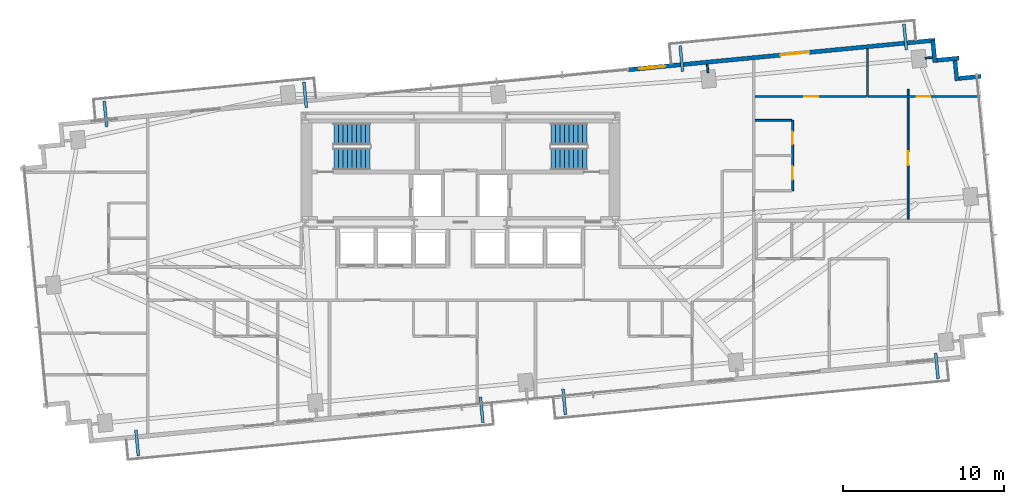
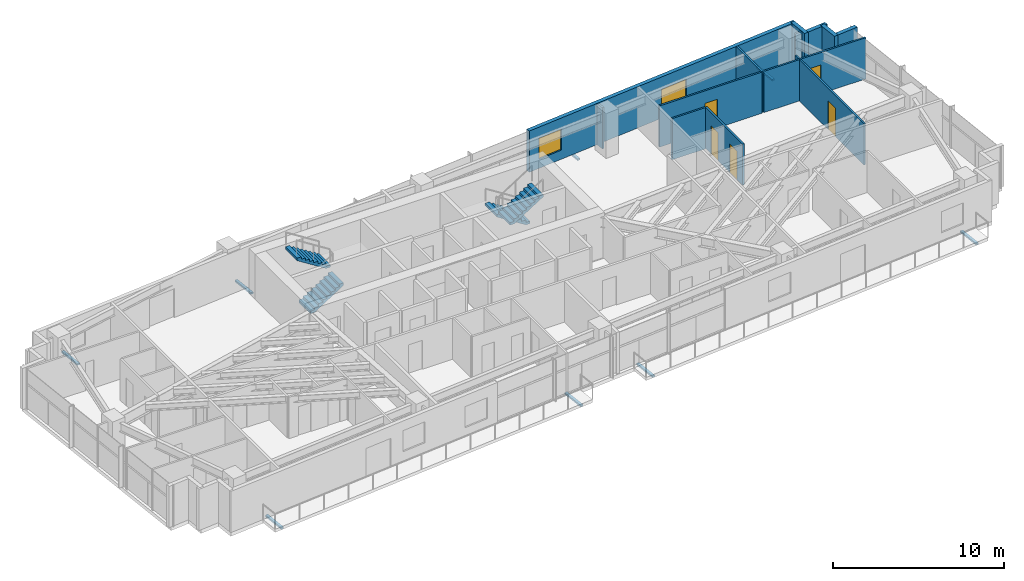
# One storey, part 24 of 27: 14 walls, 8 discrete accessories, 6 doors, 4 stair flights, 1 window, 7 openings, 2 elements without a shape of their own.
"""IFC4 building model written with IfcOpenShell, lengths in metres."""

from ifc_helpers import new_model, si_unit, direction, frame, frame_2d, origin, origin_2d, place, context, subcontext, project, spatial, polyline, rectangle, outline, extrude, source, transform, mapped, material, layer, layer_set, type_object, type_shapes, element, fill, aggregate, save


model = new_model("IFC4")

# Units and contexts
model_context = context("Model", 3, precision=1e-05, world=origin(), true_north=direction((0.0, 1.0)))
body_context = subcontext(model_context, "Body", "Model", "MODEL_VIEW")
ifc_project = project(units=[si_unit("LENGTHUNIT", "METRE"), si_unit("AREAUNIT", "SQUARE_METRE"), si_unit("VOLUMEUNIT", "CUBIC_METRE"), si_unit("PLANEANGLEUNIT", "RADIAN"), si_unit("MASSUNIT", "GRAM", prefix="KILO")], contexts=[model_context])

# Site, building, storey
site_placement = place(None, origin())
site = spatial("IfcSite", under=ifc_project, at=site_placement, CompositionType="ELEMENT")
building_placement = place(site_placement, origin())
building = spatial("IfcBuilding", under=site, at=building_placement, Name="Astriad Promenade Condominiums", CompositionType="ELEMENT")
storey_placement = place(building_placement, frame((0.0, 0.0, 93.800048828125)))
storey = spatial("IfcBuildingStorey", under=building, at=storey_placement, Name="L26", CompositionType="ELEMENT", Elevation=93.800048828125)

# Wall, openings, door, window
ifc_material_1 = material(Name="Precast concrete C50/60", Category="concrete")
ifc_layer_1 = layer(ifc_material_1, 0.260009765625)
ifc_layer_set_1 = layer_set([ifc_layer_1], Name="Precast concrete C50/60")
wall_type_1 = type_object("IfcWallType", Name="WALL-EXT-TWR-260", PredefinedType="STANDARD", material=ifc_layer_set_1)
wall_1_placement = place(storey_placement, frame((46.40625, 26.90966796875, 0.0), z_axis=(0.0, 0.0, 1.0), x_axis=(0.995396638587, 0.095841180552, 0.0)))
wall_1 = element("IfcWall", 1, at=wall_1_placement, inside=storey, type_object=wall_type_1, Name="W-EXT-L26-N2", PredefinedType="STANDARD", context=body_context, shape_type="SweptSolid", body=[
    extrude(rectangle(XDim=19.110107421875, YDim=0.260009765625, at=frame_2d((9.55517578125, 0.0))), origin(), (0.0, 0.0, 1.0), 2.93994140625),
])
opening_1_placement = place(wall_1_placement, frame((9.47998046875, 0.0, 0.0)))
opening_1 = element("IfcOpeningElement", 2, at=opening_1_placement, cuts=wall_1, Name="Opening BD-1822-SLD", PredefinedType="OPENING", context=body_context, shape_type="SweptSolid", body=[
    extrude(rectangle(XDim=1.800048828125, YDim=2.06005859375, at=frame_2d((0.89990234375, 1.030029296875))), frame((0.0, 0.139892578125, 0.0), z_axis=(0.0, -1.0, 0.0), x_axis=(1.0, 0.0, 0.0)), (0.0, 0.0, 1.0), 0.280029296875),
])
opening_2_placement = place(wall_1_placement, frame((0.699951171875, 0.0, 0.64990234375)))
opening_2 = element("IfcOpeningElement", 3, at=opening_2_placement, cuts=wall_1, Name="Opening WIN-TWR-1620", PredefinedType="OPENING", context=body_context, shape_type="SweptSolid", body=[
    extrude(rectangle(XDim=1.60009765625, YDim=1.5, at=frame_2d((0.800048828125, 0.75))), frame((0.0, 0.139892578125, 0.0), z_axis=(0.0, -1.0, 0.0), x_axis=(1.0, 0.0, 0.0)), (0.0, 0.0, 1.0), 0.280029296875),
])
ifc_material_2 = material(Name="Thermally Broken Aluminium Sliding Balcony Door", Category="aluminium")
door_type_1 = type_object("IfcDoorType", Name="BD-1822-SLD", OperationType="NOTDEFINED", PredefinedType="DOOR", material=ifc_material_2)
shared_shape_1 = source(origin(), body_context, "Body", "SweptSolid", [
    extrude(rectangle(XDim=1.800048828125, YDim=2.06005859375, at=frame_2d((0.89990234375, 1.030029296875))), frame((0.0, 0.02490234375, 0.0), z_axis=(0.0, -1.0, 0.0), x_axis=(1.0, 0.0, 0.0)), (0.0, 0.0, 1.0), 0.050048828125),
])
type_shapes(door_type_1, [shared_shape_1])
door_1_placement = place(opening_1_placement, origin())
door_1 = element("IfcDoor", 4, at=door_1_placement, inside=storey, type_object=door_type_1, Name="BD-L26-NE", OperationType="SLIDING_TO_RIGHT", OverallHeight=2.06005859375, OverallWidth=1.800048828125, PredefinedType="DOOR", context=body_context, shape_type="MappedRepresentation", body=[
    mapped(shared_shape_1, transform((0.0, 0.0, 0.0), scale=1.0)),
])
fill(opening_1, door_1)
ifc_material_3 = material(Name="Dark Tinted Triple-Glazed Aluminium Window", Category="aluminium")
window_type = type_object("IfcWindowType", Name="WIN-TWR-1620", PartitioningType="SINGLE_PANEL", PredefinedType="WINDOW", material=ifc_material_3)
shared_shape_2 = source(origin(), body_context, "Body", "SweptSolid", [
    extrude(rectangle(XDim=1.60009765625, YDim=1.5, at=frame_2d((0.800048828125, 0.75))), frame((0.0, 0.030029296875, 0.0), z_axis=(0.0, -1.0, 0.0), x_axis=(1.0, 0.0, 0.0)), (0.0, 0.0, 1.0), 0.06005859375),
])
type_shapes(window_type, [shared_shape_2])
window_placement = place(opening_2_placement, origin())
window = element("IfcWindow", 5, at=window_placement, inside=storey, type_object=window_type, Name="WIN-L26-NE", OverallHeight=1.5, OverallWidth=1.60009765625, PartitioningType="SINGLE_PANEL", PredefinedType="WINDOW", context=body_context, shape_type="MappedRepresentation", body=[
    mapped(shared_shape_2, transform((0.0, 0.0, 0.0), scale=1.0)),
])
fill(opening_2, window)

# Walls
for number, where, z_axis, x_axis, name in (
    (6, (65.297607421875, 28.74365234375, 0.0), (0.0, 0.0, 1.0), (0.095725744959, -0.99540774648, 0.0), "W-SER-L26-09"),
    (7, (65.533203125, 27.49560546875, 0.0), (0.0, 0.0, 1.0), (0.99540774648, 0.095725744959, 0.0), "W-SER-L26-10"),
):
    element("IfcWall", number, at=place(storey_placement, frame(where, z_axis=z_axis, x_axis=x_axis)), inside=storey, type_object=wall_type_1, Name=name, PredefinedType="STANDARD", context=body_context, shape_type="SweptSolid", body=[
        extrude(rectangle(XDim=1.39501953125, YDim=0.260009765625, at=frame_2d((0.697509765625, 0.0))), origin(), (0.0, 0.0, 1.0), 2.93994140625),
    ])
wall_2_placement = place(storey_placement, frame((66.66162109375, 27.619140625, 0.0), z_axis=(0.0, 0.0, 1.0), x_axis=(0.095742423056, -0.99540614245, 0.0)))
element("IfcWall", 8, at=wall_2_placement, inside=storey, type_object=wall_type_1, Name="W-SER-L26-11", PredefinedType="STANDARD", context=body_context, shape_type="SweptSolid", body=[
    extrude(rectangle(XDim=1.394775390625, YDim=0.260009765625, at=frame_2d((0.697265625, 0.0))), origin(), (0.0, 0.0, 1.0), 2.93994140625),
])
wall_3_placement = place(storey_placement, frame((66.897216796875, 26.37109375, 0.0), z_axis=(0.0, 0.0, 1.0), x_axis=(0.995391056452, 0.09589913835, 0.0)))
element("IfcWall", 9, at=wall_3_placement, inside=storey, type_object=wall_type_1, Name="W-SER-L26-12", PredefinedType="STANDARD", context=body_context, shape_type="SweptSolid", body=[
    extrude(rectangle(XDim=1.39501953125, YDim=0.260009765625, at=frame_2d((0.697509765625, 0.0))), origin(), (0.0, 0.0, 1.0), 2.93994140625),
])

# Wall, openings, doors
ifc_material_4 = material(Name="Acoustic Metal-Stud Gypsum Partition")
ifc_layer_2 = layer(ifc_material_4, 0.1201171875)
ifc_layer_set_2 = layer_set([ifc_layer_2], Name="Acoustic Metal-Stud Gypsum Partition")
wall_type_2 = type_object("IfcWallType", Name="WALL-PART-120", PredefinedType="PARTITIONING", material=ifc_layer_set_2)
wall_4_placement = place(storey_placement, frame((56.60009765625, 19.419921875, 0.0), z_axis=(0.0, 0.0, 1.0), x_axis=(0.0, 1.0, 0.0)))
wall_4 = element("IfcWall", 10, at=wall_4_placement, inside=storey, type_object=wall_type_2, Name="PT-L26-E2-PV", PredefinedType="PARTITIONING", context=body_context, shape_type="SweptSolid", body=[
    extrude(rectangle(XDim=4.35009765625, YDim=0.1201171875, at=frame_2d((2.175048828125, 0.0))), origin(), (0.0, 0.0, 1.0), 2.93994140625),
])
opening_3_placement = place(wall_4_placement, frame((0.6630859375, 0.0, 0.0)))
opening_3 = element("IfcOpeningElement", 11, at=opening_3_placement, cuts=wall_4, Name="Opening D-INT-085", PredefinedType="OPENING", context=body_context, shape_type="SweptSolid", body=[
    extrude(rectangle(XDim=0.85009765625, YDim=2.050048828125, at=frame_2d((0.425048828125, 1.02490234375))), frame((0.0, 0.070068359375, 0.0), z_axis=(0.0, -1.0, 0.0), x_axis=(1.0, 0.0, 0.0)), (0.0, 0.0, 1.0), 0.14013671875),
])
opening_4_placement = place(wall_4_placement, frame((2.862060546875, 0.0, 0.0)))
opening_4 = element("IfcOpeningElement", 12, at=opening_4_placement, cuts=wall_4, Name="Opening D-WET-080", PredefinedType="OPENING", context=body_context, shape_type="SweptSolid", body=[
    extrude(rectangle(XDim=0.800048828125, YDim=2.02001953125, at=frame_2d((0.39990234375, 1.010009765625))), frame((0.0, 0.070068359375, 0.0), z_axis=(0.0, -1.0, 0.0), x_axis=(1.0, 0.0, 0.0)), (0.0, 0.0, 1.0), 0.14013671875),
])
ifc_material_5 = material(Name="Moisture-Resistant Timber Bathroom Door", Category="wood")
door_type_2 = type_object("IfcDoorType", Name="D-WET-080", OperationType="NOTDEFINED", PredefinedType="DOOR", material=ifc_material_5)
shared_shape_3 = source(origin(), body_context, "Body", "SweptSolid", [
    extrude(rectangle(XDim=0.800048828125, YDim=2.02001953125, at=frame_2d((0.39990234375, 1.010009765625))), frame((0.0, 0.02490234375, 0.0), z_axis=(0.0, -1.0, 0.0), x_axis=(1.0, 0.0, 0.0)), (0.0, 0.0, 1.0), 0.050048828125),
])
type_shapes(door_type_2, [shared_shape_3])
door_2_placement = place(opening_4_placement, origin())
door_2 = element("IfcDoor", 13, at=door_2_placement, inside=storey, type_object=door_type_2, Name="D-BTH-L26-E2", OperationType="SINGLE_SWING_RIGHT", OverallHeight=2.02001953125, OverallWidth=0.800048828125, PredefinedType="DOOR", context=body_context, shape_type="MappedRepresentation", body=[
    mapped(shared_shape_3, transform((0.0, 0.0, 0.0), scale=1.0)),
])
fill(opening_4, door_2)
ifc_material_6 = material(Name="Painted Solid-Core Timber Room Door", Category="wood")
door_type_3 = type_object("IfcDoorType", Name="D-INT-085", OperationType="NOTDEFINED", PredefinedType="DOOR", material=ifc_material_6)
shared_shape_4 = source(origin(), body_context, "Body", "SweptSolid", [
    extrude(rectangle(XDim=0.85009765625, YDim=2.050048828125, at=frame_2d((0.425048828125, 1.02490234375))), frame((0.0, 0.02490234375, 0.0), z_axis=(0.0, -1.0, 0.0), x_axis=(1.0, 0.0, 0.0)), (0.0, 0.0, 1.0), 0.050048828125),
])
type_shapes(door_type_3, [shared_shape_4])
door_3_placement = place(opening_3_placement, origin())
door_3 = element("IfcDoor", 14, at=door_3_placement, inside=storey, type_object=door_type_3, Name="D-KIT-L26-E2", OperationType="SINGLE_SWING_LEFT", OverallHeight=2.050048828125, OverallWidth=0.85009765625, PredefinedType="DOOR", context=body_context, shape_type="MappedRepresentation", body=[
    mapped(shared_shape_4, transform((0.0, 0.0, 0.0), scale=1.0)),
])
fill(opening_3, door_3)

# Walls
wall_5_placement = place(storey_placement, frame((54.281982421875, 23.77001953125, 0.0), z_axis=(0.0, 0.0, 1.0), x_axis=(1.0, 0.0, 0.0)))
element("IfcWall", 15, at=wall_5_placement, inside=storey, type_object=wall_type_2, Name="PT-L26-E2-PN", PredefinedType="PARTITIONING", context=body_context, shape_type="SweptSolid", body=[
    extrude(rectangle(XDim=2.256103515625, YDim=0.1201171875, at=frame_2d((1.1279296875, 0.0))), origin(), (0.0, 0.0, 1.0), 2.93994140625),
])
wall_6_placement = place(storey_placement, frame((61.2451171875, 25.2548828125, 0.0), z_axis=(0.0, 0.0, 1.0), x_axis=(0.0, 1.0, 0.0)))
element("IfcWall", 16, at=wall_6_placement, inside=storey, type_object=wall_type_2, Name="PT-L26-E2-B1M", PredefinedType="PARTITIONING", context=body_context, shape_type="SweptSolid", body=[
    extrude(rectangle(XDim=2.950927734375, YDim=0.1201171875, at=frame_2d((1.4755859375, 0.0))), origin(), (0.0, 0.0, 1.0), 2.93994140625),
])

# Wall, opening, door
wall_7_placement = place(storey_placement, frame((54.281982421875, 25.2548828125, 0.0), z_axis=(0.0, 0.0, 1.0), x_axis=(1.0, 0.0, 0.0)))
wall_7 = element("IfcWall", 17, at=wall_7_placement, inside=storey, type_object=wall_type_2, Name="PT-L26-E2-B1", PredefinedType="PARTITIONING", context=body_context, shape_type="SweptSolid", body=[
    extrude(rectangle(XDim=6.901123046875, YDim=0.1201171875, at=frame_2d((3.45068359375, 0.0))), origin(), (0.0, 0.0, 1.0), 2.93994140625),
])
opening_5_placement = place(wall_7_placement, frame((3.055908203125, 0.0, 0.0)))
opening_5 = element("IfcOpeningElement", 18, at=opening_5_placement, cuts=wall_7, Name="Opening D-INT-085", PredefinedType="OPENING", context=body_context, shape_type="SweptSolid", body=[
    extrude(rectangle(XDim=0.85009765625, YDim=2.050048828125, at=frame_2d((0.425048828125, 1.02490234375))), frame((0.0, 0.070068359375, 0.0), z_axis=(0.0, -1.0, 0.0), x_axis=(1.0, 0.0, 0.0)), (0.0, 0.0, 1.0), 0.14013671875),
])
door_4_placement = place(opening_5_placement, origin())
door_4 = element("IfcDoor", 19, at=door_4_placement, inside=storey, type_object=door_type_3, Name="D-BD1-L26-E2", OperationType="SINGLE_SWING_LEFT", OverallHeight=2.050048828125, OverallWidth=0.85009765625, PredefinedType="DOOR", context=body_context, shape_type="MappedRepresentation", body=[
    mapped(shared_shape_4, transform((0.0, 0.0, 0.0), scale=1.0)),
])
fill(opening_5, door_4)

wall_8_placement = place(storey_placement, frame((61.306884765625, 25.2548828125, 0.0), z_axis=(0.0, 0.0, 1.0), x_axis=(1.0, 0.0, 0.0)))
wall_8 = element("IfcWall", 20, at=wall_8_placement, inside=storey, type_object=wall_type_2, Name="PT-L26-E2-B1-S2", PredefinedType="PARTITIONING", context=body_context, shape_type="SweptSolid", body=[
    extrude(rectangle(XDim=6.888427734375, YDim=0.1201171875, at=frame_2d((3.4443359375, 0.0))), origin(), (0.0, 0.0, 1.0), 2.93994140625),
])
opening_6_placement = place(wall_8_placement, frame((2.9951171875, 0.0, 0.0)))
opening_6 = element("IfcOpeningElement", 21, at=opening_6_placement, cuts=wall_8, Name="Opening D-INT-085", PredefinedType="OPENING", context=body_context, shape_type="SweptSolid", body=[
    extrude(rectangle(XDim=0.85009765625, YDim=2.050048828125, at=frame_2d((0.425048828125, 1.02490234375))), frame((0.0, 0.070068359375, 0.0), z_axis=(0.0, -1.0, 0.0), x_axis=(1.0, 0.0, 0.0)), (0.0, 0.0, 1.0), 0.14013671875),
])
door_5_placement = place(opening_6_placement, origin())
door_5 = element("IfcDoor", 22, at=door_5_placement, inside=storey, type_object=door_type_3, Name="D-BD1B-L26-E2", OperationType="SINGLE_SWING_RIGHT", OverallHeight=2.050048828125, OverallWidth=0.85009765625, PredefinedType="DOOR", context=body_context, shape_type="MappedRepresentation", body=[
    mapped(shared_shape_4, transform((0.0, 0.0, 0.0), scale=1.0)),
])
fill(opening_6, door_5)

wall_9_placement = place(storey_placement, frame((63.761962890625, 17.652099609375, 0.0), z_axis=(0.0, 0.0, 1.0), x_axis=(0.0, 1.0, 0.0)))
wall_9 = element("IfcWall", 23, at=wall_9_placement, inside=storey, type_object=wall_type_2, Name="PT-L26-E2-WDV1", PredefinedType="PARTITIONING", context=body_context, shape_type="SweptSolid", body=[
    extrude(rectangle(XDim=7.541015625, YDim=0.1201171875, at=frame_2d((3.7705078125, 0.0))), origin(), (0.0, 0.0, 1.0), 2.93994140625),
])
opening_7_placement = place(wall_9_placement, frame((3.344970703125, 0.0, 0.0)))
opening_7 = element("IfcOpeningElement", 24, at=opening_7_placement, cuts=wall_9, Name="Opening D-INT-085", PredefinedType="OPENING", context=body_context, shape_type="SweptSolid", body=[
    extrude(rectangle(XDim=0.85009765625, YDim=2.050048828125, at=frame_2d((0.425048828125, 1.02490234375))), frame((0.0, 0.070068359375, 0.0), z_axis=(0.0, -1.0, 0.0), x_axis=(1.0, 0.0, 0.0)), (0.0, 0.0, 1.0), 0.14013671875),
])
door_6_placement = place(opening_7_placement, origin())
door_6 = element("IfcDoor", 25, at=door_6_placement, inside=storey, type_object=door_type_3, Name="D-WDV1-L26-E2", OperationType="SINGLE_SWING_LEFT", OverallHeight=2.050048828125, OverallWidth=0.85009765625, PredefinedType="DOOR", context=body_context, shape_type="MappedRepresentation", body=[
    mapped(shared_shape_4, transform((0.0, 0.0, 0.0), scale=1.0)),
])
fill(opening_7, door_6)

# Walls
wall_10_placement = place(storey_placement, frame((63.761962890625, 25.31689453125, 0.0), z_axis=(0.0, 0.0, 1.0), x_axis=(0.0, 1.0, 0.0)))
element("IfcWall", 26, at=wall_10_placement, inside=storey, type_object=wall_type_2, Name="PT-L26-E2-WDV1-S2", PredefinedType="PARTITIONING", context=body_context, shape_type="SweptSolid", body=[
    extrude(rectangle(XDim=0.378173828125, YDim=0.1201171875, at=frame_2d((0.18896484375, 0.0))), origin(), (0.0, 0.0, 1.0), 2.93994140625),
])
wall_11_placement = place(storey_placement, frame((51.35791015625, 26.71337890625, 0.0), z_axis=(0.0, 0.0, 1.0), x_axis=(-0.095772948675, 0.995403205893, 0.0)))
element("IfcWall", 27, at=wall_11_placement, inside=storey, type_object=wall_type_2, Name="PT-PIL-L26-PC09-16", PredefinedType="PARTITIONING", context=body_context, shape_type="SweptSolid", body=[
    extrude(rectangle(XDim=0.537841796875, YDim=0.1201171875, at=frame_2d((0.26904296875, 0.0))), origin(), (0.0, 0.0, 1.0), 2.93994140625),
])
wall_12_placement = place(storey_placement, frame((64.812255859375, 27.626953125, 0.0), z_axis=(0.0, 0.0, 1.0), x_axis=(0.995389482415, 0.095915474751, 0.0)))
element("IfcWall", 28, at=wall_12_placement, inside=storey, type_object=wall_type_2, Name="PT-PIL-L26-PC10-17", PredefinedType="PARTITIONING", context=body_context, shape_type="SweptSolid", body=[
    extrude(rectangle(XDim=0.458251953125, YDim=0.1201171875, at=frame_2d((0.22900390625, 0.0))), origin(), (0.0, 0.0, 1.0), 2.93994140625),
])

# Stair, stair flights
ifc_material_7 = material(Name="Concrete C50/60", Category="concrete")
stair_type = type_object("IfcStairType", Name="STR-CORE-1350", PredefinedType="HALF_TURN_STAIR", material=ifc_material_7)
stair_1_placement = place(storey_placement, origin())
stair_1 = element("IfcStair", 29, at=stair_1_placement, inside=storey, type_object=stair_type, Name="L26 Enclosed Core Exit Stair ST-1", PredefinedType="HALF_TURN_STAIR")
stair_flight_type = type_object("IfcStairFlightType", Name="SFL-CORE-1350", PredefinedType="STRAIGHT", material=ifc_material_7)
shared_shape_5 = source(origin(), body_context, "Body", "SweptSolid", [
    extrude(outline(polyline([(0.0, 0.0), (0.0, 0.177734375), (0.280029296875, 0.177734375), (0.280029296875, 0.35546875), (0.56005859375, 0.35546875), (0.56005859375, 0.533447265625), (0.840087890625, 0.533447265625), (0.840087890625, 0.711181640625), (1.1201171875, 0.711181640625), (1.1201171875, 0.888916015625), (1.39990234375, 0.888916015625), (1.39990234375, 1.066650390625), (1.679931640625, 1.066650390625), (1.679931640625, 1.244384765625), (1.9599609375, 1.244384765625), (1.9599609375, 1.422119140625), (2.239990234375, 1.422119140625), (2.239990234375, 1.60009765625), (2.239990234375, 1.24462890625), (0.27978515625, 0.0), (0.0, 0.0)])), frame((0.0, 0.675048828125, 0.0), z_axis=(0.0, -1.0, 0.0), x_axis=(1.0, 0.0, 0.0)), (0.0, 0.0, 1.0), 1.35009765625),
])
type_shapes(stair_flight_type, [shared_shape_5])
stair_flight_1_placement = place(storey_placement, frame((28.14990234375, 21.375, 0.0), z_axis=(0.0, 0.0, 1.0), x_axis=(1.0, 0.0, 0.0)))
stair_flight_1 = element("IfcStairFlight", 30, at=stair_flight_1_placement, type_object=stair_flight_type, Name="ST-1 flight 1", NumberOfRisers=9, NumberOfTreads=8, PredefinedType="STRAIGHT", RiserHeight=0.177777778, TreadLength=0.28, context=body_context, shape_type="MappedRepresentation", body=[
    mapped(shared_shape_5, transform((0.0, 0.0, 0.0), scale=1.0)),
])
stair_flight_2_placement = place(storey_placement, frame((30.389892578125, 22.925048828125, 1.599853515625), z_axis=(0.0, 0.0, 1.0), x_axis=(-1.0, 0.0, 0.0)))
stair_flight_2 = element("IfcStairFlight", 31, at=stair_flight_2_placement, type_object=stair_flight_type, Name="ST-1 flight 2", NumberOfRisers=9, NumberOfTreads=8, PredefinedType="STRAIGHT", RiserHeight=0.177777778, TreadLength=0.28, context=body_context, shape_type="MappedRepresentation", body=[
    mapped(shared_shape_5, transform((0.0, 0.0, 0.0), scale=1.0)),
])
aggregate(stair_1, [stair_flight_1, stair_flight_2])

stair_2_placement = place(storey_placement, origin())
stair_2 = element("IfcStair", 32, at=stair_2_placement, inside=storey, type_object=stair_type, Name="L26 Enclosed Core Exit Stair ST-2", PredefinedType="HALF_TURN_STAIR")
stair_flight_3_placement = place(storey_placement, frame((43.85009765625, 22.925048828125, 0.0), z_axis=(0.0, 0.0, 1.0), x_axis=(-1.0, 0.0, 0.0)))
stair_flight_3 = element("IfcStairFlight", 33, at=stair_flight_3_placement, type_object=stair_flight_type, Name="ST-2 flight 1", NumberOfRisers=9, NumberOfTreads=8, PredefinedType="STRAIGHT", RiserHeight=0.177777778, TreadLength=0.28, context=body_context, shape_type="MappedRepresentation", body=[
    mapped(shared_shape_5, transform((0.0, 0.0, 0.0), scale=1.0)),
])
stair_flight_4_placement = place(storey_placement, frame((41.610107421875, 21.375, 1.599853515625), z_axis=(0.0, 0.0, 1.0), x_axis=(1.0, 0.0, 0.0)))
stair_flight_4 = element("IfcStairFlight", 34, at=stair_flight_4_placement, type_object=stair_flight_type, Name="ST-2 flight 2", NumberOfRisers=9, NumberOfTreads=8, PredefinedType="STRAIGHT", RiserHeight=0.177777778, TreadLength=0.28, context=body_context, shape_type="MappedRepresentation", body=[
    mapped(shared_shape_5, transform((0.0, 0.0, 0.0), scale=1.0)),
])
aggregate(stair_2, [stair_flight_3, stair_flight_4])

# Discrete accessories
ifc_material_8 = material(Name="Steel ASTM A572 Grade 50", Category="steel")
discrete_accessory_type = type_object("IfcDiscreteAccessoryType", Name="STEEL BALCONY OUTRIGGER BRACKET", PredefinedType="BRACKET", material=ifc_material_8)
shared_shape_6 = source(origin(), body_context, "Body", "SweptSolid", [
    extrude(rectangle(XDim=1.60009765625, YDim=0.179931640625, at=origin_2d()), origin(), (0.0, 0.0, 1.0), 0.1220703125),
])
type_shapes(discrete_accessory_type, [shared_shape_6])
for number, where, z_axis, x_axis, name in (
    (35, (15.95556640625, 3.764404296875, -0.340087890625), (0.0, 0.0, 1.0), (0.09584575252, -0.995396198367, 0.0), "Balcony Outrigger Bracket BAL-L26-SW-A"),
    (36, (37.318603515625, 5.8212890625, -0.340087890625), (0.0, 0.0, 1.0), (0.09584575252, -0.995396198367, 0.0), "Balcony Outrigger Bracket BAL-L26-SW-B"),
    (37, (42.43994140625, 6.314697265625, -0.340087890625), (0.0, 0.0, 1.0), (0.09584575252, -0.995396198367, 0.0), "Balcony Outrigger Bracket BAL-L26-SE-A"),
    (38, (65.548095703125, 8.53955078125, -0.340087890625), (0.0, 0.0, 1.0), (0.09584575252, -0.995396198367, 0.0), "Balcony Outrigger Bracket BAL-L26-SE-B"),
    (39, (13.990478515625, 24.169921875, -0.340087890625), (0.0, 0.0, 1.0), (-0.09584575252, 0.995396198367, 0.0), "Balcony Outrigger Bracket BAL-L26-NW-A"),
    (40, (26.372314453125, 25.3623046875, -0.340087890625), (0.0, 0.0, 1.0), (-0.09584575252, 0.995396198367, 0.0), "Balcony Outrigger Bracket BAL-L26-NW-B"),
    (41, (49.70458984375, 27.60888671875, -0.340087890625), (0.0, 0.0, 1.0), (-0.09584575252, 0.995396198367, 0.0), "Balcony Outrigger Bracket BAL-L26-NE-A"),
    (42, (63.583251953125, 28.9453125, -0.340087890625), (0.0, 0.0, 1.0), (-0.09584575252, 0.995396198367, 0.0), "Balcony Outrigger Bracket BAL-L26-NE-B"),
):
    element("IfcDiscreteAccessory", number, at=place(storey_placement, frame(where, z_axis=z_axis, x_axis=x_axis)), inside=storey, type_object=discrete_accessory_type, Name=name, PredefinedType="BRACKET", context=body_context, shape_type="MappedRepresentation", body=[
        mapped(shared_shape_6, transform((0.0, 0.0, 0.0), scale=1.0)),
    ])

save(model, "model.ifc")
